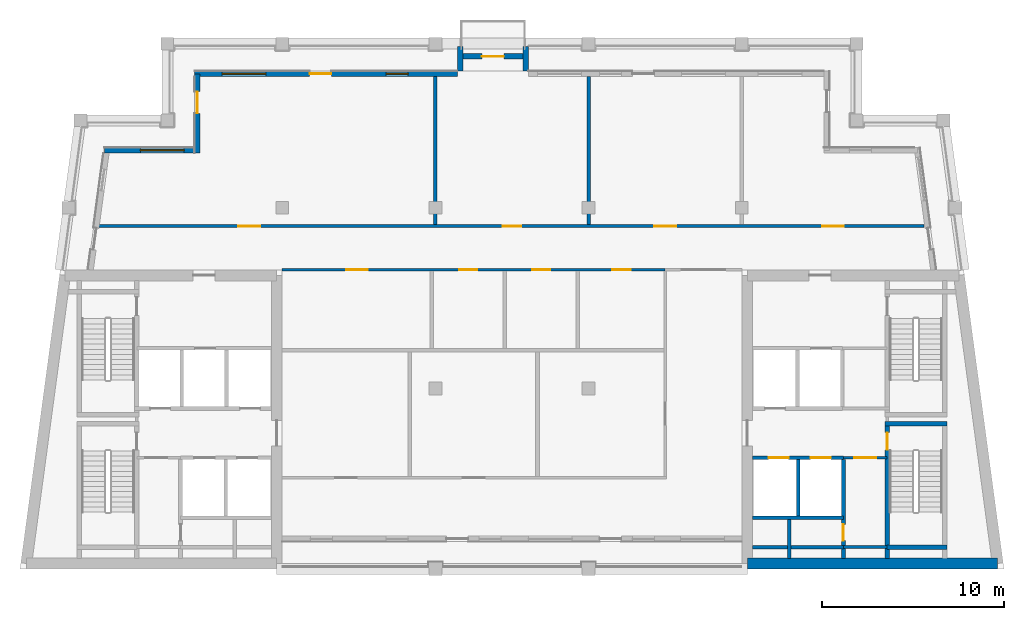
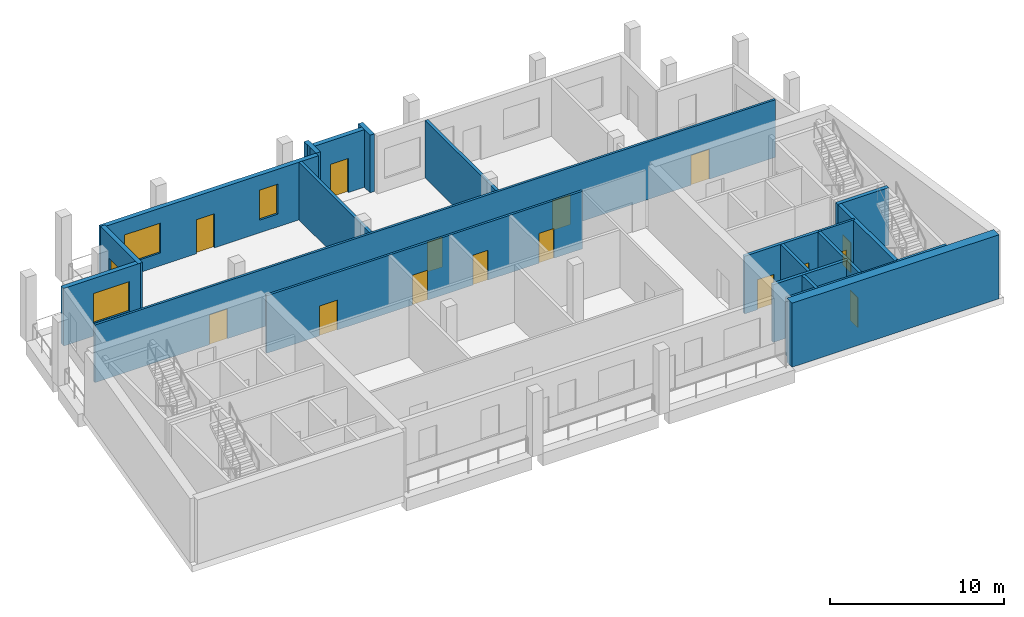
# One storey, part 3 of 8: 22 walls, 16 doors, 3 windows, 19 openings.
"""IFC4 building model written with IfcOpenShell, lengths in metres."""

import ifcopenshell
import ifcopenshell.guid

model = None  # the IFC model being written
_history = None  # IfcOwnerHistory: only IFC2X3 demands one
_inside = {}  # id of a spatial element -> (the spatial element, [elements in it])
_under = {}  # id of a project, library or spatial element -> (it, [spatial elements below it])
_declared = {}  # id of a project -> (the project, [libraries it declares])
_typed = {}  # id of a type object -> (the type object, [elements of that type])
_made_of = {}  # id of a material, layer set ... -> (it, [elements and type objects made of it])


def new_model(schema):
    """Start an empty IFC model of exactly this schema.

    Asked for "IFC4X3", IfcOpenShell would pick the latest addendum, in which some entities
    have other attributes; the version numbers below select the first issue.
    IFC2X3 requires an IfcOwnerHistory on every rooted entity: one is made here for all.
    """
    global model, _history
    if schema == "IFC4X3":
        model = ifcopenshell.file(schema_version=(4, 3, 0, 0))
    else:
        model = ifcopenshell.file(schema=schema)
    _inside.clear()
    _under.clear()
    _declared.clear()
    _typed.clear()
    _made_of.clear()
    _history = None
    if model.schema == "IFC2X3":
        org = make("IfcOrganization", Name="unknown")
        user = make(
            "IfcPersonAndOrganization",
            ThePerson=make("IfcPerson", FamilyName="unknown"),
            TheOrganization=org,
        )
        app = make(
            "IfcApplication",
            ApplicationDeveloper=org,
            Version="unknown",
            ApplicationFullName="unknown",
            ApplicationIdentifier="unknown",
        )
        _history = make(
            "IfcOwnerHistory",
            OwningUser=user,
            OwningApplication=app,
            ChangeAction="ADDED",
            CreationDate=0,
        )
    return model


def make(cls, **values):
    """One entity of the class cls with the attributes given. An attribute that is None is left unset."""
    return model.create_entity(
        cls, **{name: value for name, value in values.items() if value is not None}
    )


def rooted(cls, **values):
    """An entity with a GlobalId (a new one), such as an element, a storey or a relation."""
    return make(cls, GlobalId=ifcopenshell.guid.new(), OwnerHistory=_history, **values)


def si_unit(unit_type, name, prefix=None):
    """IfcSIUnit, for example si_unit("LENGTHUNIT", "METRE", prefix="MILLI")."""
    return make("IfcSIUnit", UnitType=unit_type, Prefix=prefix, Name=name)


def assignment(units):
    """IfcUnitAssignment: the units of a project."""
    return None if units is None else make("IfcUnitAssignment", Units=units)


def point(xyz):
    """IfcCartesianPoint."""
    return None if xyz is None else make("IfcCartesianPoint", Coordinates=xyz)


def direction(xyz):
    """IfcDirection."""
    return None if xyz is None else make("IfcDirection", DirectionRatios=xyz)


def frame(location, z_axis=None, x_axis=None):
    """IfcAxis2Placement3D, a coordinate frame: its origin and axes. An axis left out is left unset."""
    return make(
        "IfcAxis2Placement3D",
        Location=point(location),
        Axis=direction(z_axis),
        RefDirection=direction(x_axis),
    )


def frame_2d(location, x_axis=None):
    """IfcAxis2Placement2D, a coordinate frame in the plane: its origin and x axis."""
    return make(
        "IfcAxis2Placement2D", Location=point(location), RefDirection=direction(x_axis)
    )


def origin():
    """The frame at (0, 0, 0) with its axes left unset."""
    return frame((0.0, 0.0, 0.0))


def place(relative_to, where):
    """IfcLocalPlacement: puts the frame where relative to a parent placement (None: the world)."""
    return make(
        "IfcLocalPlacement", PlacementRelTo=relative_to, RelativePlacement=where
    )


def context(
    kind, dimensions, precision=None, world=None, true_north=None, identifier=None
):
    """IfcGeometricRepresentationContext, for example the 3D "Model" context."""
    return make(
        "IfcGeometricRepresentationContext",
        ContextIdentifier=identifier,
        ContextType=kind,
        CoordinateSpaceDimension=dimensions,
        Precision=precision,
        WorldCoordinateSystem=world,
        TrueNorth=true_north,
    )


def subcontext(parent, identifier, kind, view, scale=None):
    """IfcGeometricRepresentationSubContext, for example "Body" below "Model"."""
    return make(
        "IfcGeometricRepresentationSubContext",
        ContextIdentifier=identifier,
        ContextType=kind,
        ParentContext=parent,
        TargetScale=scale,
        TargetView=view,
    )


def project(units=None, contexts=None):
    """IfcProject with its units and contexts."""
    return rooted(
        "IfcProject",
        Name="project",
        RepresentationContexts=contexts,
        UnitsInContext=assignment(units),
    )


def spatial(cls, under=None, at=None, **own):
    """A site, building, storey or space (cls), placed at a placement, below another one or the project."""
    s = rooted(cls, ObjectPlacement=at, **own)
    if under is not None:
        _under.setdefault(under.id(), (under, []))[1].append(s)
    return s


def profile(cls, at=None, kind="AREA", **sizes):
    """A parametric profile (cls). Its sizes go by their IFC names, for example OverallWidth=200.0."""
    return make(cls, ProfileType=kind, Position=at, **sizes)


def rectangle(**sizes):
    """IfcRectangleProfileDef."""
    return profile("IfcRectangleProfileDef", **sizes)


def extrude(swept, where, along, depth):
    """IfcExtrudedAreaSolid: the profile swept, set in the frame where, extruded along a direction by depth."""
    return make(
        "IfcExtrudedAreaSolid",
        SweptArea=swept,
        Position=where,
        ExtrudedDirection=direction(along),
        Depth=depth,
    )


def shape(context_of_items, identifier, shape_type, items):
    """IfcShapeRepresentation: the items that make up one representation, for example the "Body"."""
    return make(
        "IfcShapeRepresentation",
        ContextOfItems=context_of_items,
        RepresentationIdentifier=identifier,
        RepresentationType=shape_type,
        Items=items,
    )


def material(Name=None, Category=None):
    """IfcMaterial."""
    return make("IfcMaterial", Name=Name, Category=Category)


def layer(
    of_material, thickness, ventilated=None, Name=None, Category=None, Priority=None
):
    """IfcMaterialLayer: one layer of a wall or slab, of a material (None: an air gap)."""
    return make(
        "IfcMaterialLayer",
        Material=of_material,
        LayerThickness=thickness,
        IsVentilated=ventilated,
        Name=Name,
        Category=Category,
        Priority=Priority,
    )


def layer_set(layers, Name=None):
    """IfcMaterialLayerSet."""
    return make("IfcMaterialLayerSet", MaterialLayers=layers, LayerSetName=Name)


def made_of(thing, what):
    """Note that an element or type object is made of a material, layer set ...; save() writes the relation."""
    if what is not None:
        _made_of.setdefault(what.id(), (what, []))[1].append(thing)
    return thing


def type_object(cls, material=None, **own):
    """A type object (cls), such as IfcWallType, which elements share."""
    return made_of(rooted(cls, **own), material)


def element(
    cls,
    number,
    at=None,
    inside=None,
    cuts=None,
    type_object=None,
    material=None,
    context=None,
    identifier="Body",
    shape_type=None,
    held_by="IfcProductDefinitionShape",
    body=None,
    shapes=None,
    **own,
):
    """One element of the class cls, such as IfcWall. Its Tag is "e" and its number.

    at: its placement. inside: the storey or other place that contains it. cuts: it is an
    opening in that element (IfcRelVoidsElement). A single representation is given by context,
    identifier, shape_type and body (its items); several are given by shapes. held_by: the class
    of the entity that holds the representations. save() writes the other relations.
    """
    e = rooted(cls, Tag="e%d" % number, ObjectPlacement=at, **own)
    if body is not None:
        shapes = [shape(context, identifier, shape_type, body)]
    if shapes is not None:
        e.Representation = make(held_by, Representations=shapes)
    if inside is not None:
        _inside.setdefault(inside.id(), (inside, []))[1].append(e)
    if cuts is not None:
        rooted(
            "IfcRelVoidsElement", RelatingBuildingElement=cuts, RelatedOpeningElement=e
        )
    if type_object is not None:
        _typed.setdefault(type_object.id(), (type_object, []))[1].append(e)
    return made_of(e, material)


def fill(opening, filler):
    """IfcRelFillsElement: the door or window that sits in an opening."""
    return rooted(
        "IfcRelFillsElement",
        RelatingOpeningElement=opening,
        RelatedBuildingElement=filler,
    )


def aggregate(whole, parts):
    """IfcRelAggregates: a whole, such as a stair, and the parts it consists of."""
    return rooted("IfcRelAggregates", RelatingObject=whole, RelatedObjects=parts)


def save(model, path):
    """Write the relations noted so far, then the file.

    IfcRelAggregates (storeys below a building ...), IfcRelContainedInSpatialStructure (elements
    in a storey), IfcRelDefinesByType, IfcRelAssociatesMaterial and IfcRelDeclares: one each for
    every whole, place, type object, material and project.
    """
    for whole, parts in _under.values():
        aggregate(whole, parts)
    for where, things in _inside.values():
        rooted(
            "IfcRelContainedInSpatialStructure",
            RelatedElements=things,
            RelatingStructure=where,
        )
    for kind, things in _typed.values():
        rooted("IfcRelDefinesByType", RelatedObjects=things, RelatingType=kind)
    for what, things in _made_of.values():
        rooted("IfcRelAssociatesMaterial", RelatedObjects=things, RelatingMaterial=what)
    for by, libraries in _declared.values():
        rooted("IfcRelDeclares", RelatingContext=by, RelatedDefinitions=libraries)
    model.write(path)


model = new_model("IFC4")

# Units and contexts
model_context = context("Model", 3, precision=1e-05, world=origin(), true_north=direction((0.0, 1.0)))
body_context = subcontext(model_context, "Body", "Model", "MODEL_VIEW")
ifc_project = project(units=[si_unit("LENGTHUNIT", "METRE"), si_unit("AREAUNIT", "SQUARE_METRE"), si_unit("VOLUMEUNIT", "CUBIC_METRE"), si_unit("PLANEANGLEUNIT", "RADIAN"), si_unit("MASSUNIT", "GRAM", prefix="KILO")], contexts=[model_context])

# Site, building, storey
site_placement = place(None, origin())
site = spatial("IfcSite", under=ifc_project, at=site_placement, CompositionType="ELEMENT")
building_placement = place(site_placement, origin())
building = spatial("IfcBuilding", under=site, at=building_placement, Name="Candeia Pilgrim Tower and Theatre", CompositionType="ELEMENT")
storey_placement = place(building_placement, frame((0.0, 0.0, 315.39990234375)))
storey = spatial("IfcBuildingStorey", under=building, at=storey_placement, Name="L76", CompositionType="ELEMENT", Elevation=315.39990234375)

# Wall
ifc_material_1 = material(Name="Concrete C40/50", Category="concrete")
ifc_layer_1 = layer(ifc_material_1, 0.60009765625)
ifc_layer_set_1 = layer_set([ifc_layer_1], Name="Core wall 600 C40/50")
wall_type_1 = type_object("IfcWallType", Name="Core wall 600 C40/50", PredefinedType="SHEAR", material=ifc_layer_set_1)
wall_1_placement = place(storey_placement, frame((140.033935546875, 116.300048828125, 0.0), z_axis=(0.0, 0.0, 1.0), x_axis=(-1.0, 0.0, 0.0)))
element("IfcWall", 1, at=wall_1_placement, inside=storey, type_object=wall_type_1, Name="Core wall E3", PredefinedType="SHEAR", context=body_context, shape_type="SweptSolid", body=[
    extrude(rectangle(XDim=13.73388671875, YDim=0.60009765625, at=frame_2d((6.866943359375, 0.0))), origin(), (0.0, 0.0, 1.0), 4.5),
])

# Wall, openings, door, windows
ifc_material_2 = material(Name="Ceramic block masonry", Category="masonry")
ifc_layer_2 = layer(ifc_material_2, 0.300048828125)
ifc_layer_set_2 = layer_set([ifc_layer_2], Name="EW1 glazing-line wall 300")
wall_type_2 = type_object("IfcWallType", Name="EW1 glazing-line wall 300", PredefinedType="SOLIDWALL", material=ifc_layer_set_2)
wall_2_placement = place(storey_placement, frame((110.39990234375, 143.14990234375, 0.0), z_axis=(0.0, 0.0, 1.0), x_axis=(-1.0, 0.0, 0.0)))
wall_2 = element("IfcWall", 2, at=wall_2_placement, inside=storey, type_object=wall_type_2, Name="External wall L76-5.1", PredefinedType="SOLIDWALL", context=body_context, shape_type="SweptSolid", body=[
    extrude(rectangle(XDim=14.39990234375, YDim=0.300048828125, at=frame_2d((7.199951171875, 0.0))), origin(), (0.0, 0.0, 1.0), 4.050048828125),
])
opening_1_placement = place(wall_2_placement, frame((2.699951171875, 0.0, 0.89990234375)))
opening_1 = element("IfcOpeningElement", 3, at=opening_1_placement, cuts=wall_2, Name="Opening W-B", PredefinedType="OPENING", context=body_context, shape_type="SweptSolid", body=[
    extrude(rectangle(XDim=1.199951171875, YDim=2.10009765625, at=frame_2d((0.60009765625, 1.050048828125))), frame((0.0, 0.16015625, 0.0), z_axis=(0.0, -1.0, 0.0), x_axis=(1.0, 0.0, 0.0)), (0.0, 0.0, 1.0), 0.320068359375),
])
opening_2_placement = place(wall_2_placement, frame((6.89990234375, 0.0, 0.0)))
opening_2 = element("IfcOpeningElement", 4, at=opening_2_placement, cuts=wall_2, Name="Opening L76-ED699", PredefinedType="OPENING", context=body_context, shape_type="SweptSolid", body=[
    extrude(rectangle(XDim=1.199951171875, YDim=2.39990234375, at=frame_2d((0.60009765625, 1.199951171875))), frame((0.0, 0.16015625, 0.0), z_axis=(0.0, -1.0, 0.0), x_axis=(1.0, 0.0, 0.0)), (0.0, 0.0, 1.0), 0.320068359375),
])
opening_3_placement = place(wall_2_placement, frame((10.5, 0.0, 0.89990234375)))
opening_3 = element("IfcOpeningElement", 5, at=opening_3_placement, cuts=wall_2, Name="Opening W-A", PredefinedType="OPENING", context=body_context, shape_type="SweptSolid", body=[
    extrude(rectangle(XDim=2.39990234375, YDim=2.10009765625, at=frame_2d((1.199951171875, 1.050048828125))), frame((0.0, 0.16015625, 0.0), z_axis=(0.0, -1.0, 0.0), x_axis=(1.0, 0.0, 0.0)), (0.0, 0.0, 1.0), 0.320068359375),
])
ifc_material_3 = material(Name="Aluminium framed glazed door", Category="aluminium")
door_type_1 = type_object("IfcDoorType", Name="Loggia door 1200x2400", OperationType="DOUBLE_DOOR_SINGLE_SWING", PredefinedType="DOOR", material=ifc_material_3)
door_1_placement = place(opening_2_placement, origin())
door_1 = element("IfcDoor", 6, at=door_1_placement, inside=storey, type_object=door_type_1, Name="Loggia door L76-ED699", OperationType="DOUBLE_DOOR_SINGLE_SWING", OverallHeight=2.39990234375, OverallWidth=1.199951171875, PredefinedType="DOOR", context=body_context, shape_type="SweptSolid", body=[
    extrude(rectangle(XDim=1.199951171875, YDim=2.39990234375, at=frame_2d((0.60009765625, 1.199951171875))), frame((0.0, 0.02490234375, 0.0), z_axis=(0.0, -1.0, 0.0), x_axis=(1.0, 0.0, 0.0)), (0.0, 0.0, 1.0), 0.050048828125),
])
fill(opening_2, door_1)
ifc_material_4 = material(Name="Aluminium framed double glazing", Category="aluminium")
window_type_1 = type_object("IfcWindowType", Name="W-A window 2400x2100", PartitioningType="DOUBLE_PANEL_VERTICAL", PredefinedType="WINDOW", material=ifc_material_4)
window_1_placement = place(opening_3_placement, origin())
window_1 = element("IfcWindow", 7, at=window_1_placement, inside=storey, type_object=window_type_1, Name="Window W-A L76", OverallHeight=2.10009765625, OverallWidth=2.39990234375, PartitioningType="SINGLE_PANEL", PredefinedType="WINDOW", context=body_context, shape_type="SweptSolid", body=[
    extrude(rectangle(XDim=2.39990234375, YDim=2.10009765625, at=frame_2d((1.199951171875, 1.050048828125))), frame((0.0, 0.030029296875, 0.0), z_axis=(0.0, -1.0, 0.0), x_axis=(1.0, 0.0, 0.0)), (0.0, 0.0, 1.0), 0.06005859375),
])
fill(opening_3, window_1)
window_type_2 = type_object("IfcWindowType", Name="W-B window 1200x2100", PartitioningType="SINGLE_PANEL", PredefinedType="WINDOW", material=ifc_material_4)
window_2_placement = place(opening_1_placement, origin())
window_2 = element("IfcWindow", 8, at=window_2_placement, inside=storey, type_object=window_type_2, Name="Window W-B L76", OverallHeight=2.10009765625, OverallWidth=1.199951171875, PartitioningType="SINGLE_PANEL", PredefinedType="WINDOW", context=body_context, shape_type="SweptSolid", body=[
    extrude(rectangle(XDim=1.199951171875, YDim=2.10009765625, at=frame_2d((0.60009765625, 1.050048828125))), frame((0.0, 0.030029296875, 0.0), z_axis=(0.0, -1.0, 0.0), x_axis=(1.0, 0.0, 0.0)), (0.0, 0.0, 1.0), 0.06005859375),
])
fill(opening_1, window_2)

# Wall, opening, door
wall_3_placement = place(storey_placement, frame((96.14990234375, 143.14990234375, 0.0), z_axis=(0.0, 0.0, 1.0), x_axis=(0.0, -1.0, 0.0)))
wall_3 = element("IfcWall", 9, at=wall_3_placement, inside=storey, type_object=wall_type_2, Name="External wall L76-6.0", PredefinedType="SOLIDWALL", context=body_context, shape_type="SweptSolid", body=[
    extrude(rectangle(XDim=4.349853515625, YDim=0.300048828125, at=frame_2d((2.1748046875, 0.0))), origin(), (0.0, 0.0, 1.0), 4.050048828125),
])
opening_4_placement = place(wall_3_placement, frame((0.97509765625, 0.0, 0.0)))
opening_4 = element("IfcOpeningElement", 10, at=opening_4_placement, cuts=wall_3, Name="Opening L76-ED701", PredefinedType="OPENING", context=body_context, shape_type="SweptSolid", body=[
    extrude(rectangle(XDim=1.199951171875, YDim=2.39990234375, at=frame_2d((0.60009765625, 1.199951171875))), frame((0.0, 0.16015625, 0.0), z_axis=(0.0, -1.0, 0.0), x_axis=(1.0, 0.0, 0.0)), (0.0, 0.0, 1.0), 0.320068359375),
])
door_2_placement = place(opening_4_placement, origin())
door_2 = element("IfcDoor", 11, at=door_2_placement, inside=storey, type_object=door_type_1, Name="Loggia door L76-ED701", OperationType="DOUBLE_DOOR_SINGLE_SWING", OverallHeight=2.39990234375, OverallWidth=1.199951171875, PredefinedType="DOOR", context=body_context, shape_type="SweptSolid", body=[
    extrude(rectangle(XDim=1.199951171875, YDim=2.39990234375, at=frame_2d((0.60009765625, 1.199951171875))), frame((0.0, 0.02490234375, 0.0), z_axis=(0.0, -1.0, 0.0), x_axis=(1.0, 0.0, 0.0)), (0.0, 0.0, 1.0), 0.050048828125),
])
fill(opening_4, door_2)

# Wall, opening, window
wall_4_placement = place(storey_placement, frame((96.14990234375, 138.949951171875, 0.0), z_axis=(0.0, 0.0, 1.0), x_axis=(-1.0, 0.0, 0.0)))
wall_4 = element("IfcWall", 12, at=wall_4_placement, inside=storey, type_object=wall_type_2, Name="External wall L76-7.0", PredefinedType="SOLIDWALL", context=body_context, shape_type="SweptSolid", body=[
    extrude(rectangle(XDim=5.103759765625, YDim=0.300048828125, at=frame_2d((2.5517578125, 0.0))), origin(), (0.0, 0.0, 1.0), 4.050048828125),
])
opening_5_placement = place(wall_4_placement, frame((0.72509765625, 0.0, 0.89990234375)))
opening_5 = element("IfcOpeningElement", 13, at=opening_5_placement, cuts=wall_4, Name="Opening W-A", PredefinedType="OPENING", context=body_context, shape_type="SweptSolid", body=[
    extrude(rectangle(XDim=2.39990234375, YDim=2.10009765625, at=frame_2d((1.199951171875, 1.050048828125))), frame((0.0, 0.16015625, 0.0), z_axis=(0.0, -1.0, 0.0), x_axis=(1.0, 0.0, 0.0)), (0.0, 0.0, 1.0), 0.320068359375),
])
window_3_placement = place(opening_5_placement, origin())
window_3 = element("IfcWindow", 14, at=window_3_placement, inside=storey, type_object=window_type_1, Name="Window W-A L76", OverallHeight=2.10009765625, OverallWidth=2.39990234375, PartitioningType="SINGLE_PANEL", PredefinedType="WINDOW", context=body_context, shape_type="SweptSolid", body=[
    extrude(rectangle(XDim=2.39990234375, YDim=2.10009765625, at=frame_2d((1.199951171875, 1.050048828125))), frame((0.0, 0.030029296875, 0.0), z_axis=(0.0, -1.0, 0.0), x_axis=(1.0, 0.0, 0.0)), (0.0, 0.0, 1.0), 0.06005859375),
])
fill(opening_5, window_3)

# Walls
ifc_layer_3 = layer(ifc_material_2, 0.300048828125)
ifc_layer_set_3 = layer_set([ifc_layer_3], Name="EW2 entrance infill wall 300")
wall_type_3 = type_object("IfcWallType", Name="EW2 entrance infill wall 300", PredefinedType="SOLIDWALL", material=ifc_layer_set_3)
for number, where, z_axis, x_axis, name in (
    (15, (114.14990234375, 143.300048828125, 0.0), (0.0, 0.0, 1.0), (0.0, 1.0, 0.0), "Alcove wall L76"),
    (16, (110.550048828125, 143.300048828125, 0.0), (0.0, 0.0, 1.0), (0.0, 1.0, 0.0), "Alcove wall L76"),
):
    element("IfcWall", number, at=place(storey_placement, frame(where, z_axis=z_axis, x_axis=x_axis)), inside=storey, type_object=wall_type_3, Name=name, PredefinedType="SOLIDWALL", context=body_context, shape_type="SweptSolid", body=[
        extrude(rectangle(XDim=1.349853515625, YDim=0.300048828125, at=frame_2d((0.6748046875, 0.0))), origin(), (0.0, 0.0, 1.0), 4.050048828125),
    ])

# Wall, opening, door
wall_5_placement = place(storey_placement, frame((114.300048828125, 144.10009765625, 0.0), z_axis=(0.0, 0.0, 1.0), x_axis=(-1.0, 0.0, 0.0)))
wall_5 = element("IfcWall", 17, at=wall_5_placement, inside=storey, type_object=wall_type_3, Name="Alcove wall L76", PredefinedType="SOLIDWALL", context=body_context, shape_type="SweptSolid", body=[
    extrude(rectangle(XDim=3.900146484375, YDim=0.300048828125, at=frame_2d((1.9501953125, 0.0))), origin(), (0.0, 0.0, 1.0), 4.050048828125),
])
opening_6_placement = place(wall_5_placement, frame((1.35009765625, 0.0, 0.0)))
opening_6 = element("IfcOpeningElement", 18, at=opening_6_placement, cuts=wall_5, Name="Opening L76-ED700", PredefinedType="OPENING", context=body_context, shape_type="SweptSolid", body=[
    extrude(rectangle(XDim=1.199951171875, YDim=2.39990234375, at=frame_2d((0.60009765625, 1.199951171875))), frame((0.0, 0.16015625, 0.0), z_axis=(0.0, -1.0, 0.0), x_axis=(1.0, 0.0, 0.0)), (0.0, 0.0, 1.0), 0.320068359375),
])
door_3_placement = place(opening_6_placement, origin())
door_3 = element("IfcDoor", 19, at=door_3_placement, inside=storey, type_object=door_type_1, Name="Balcony door L76-ED700", OperationType="DOUBLE_DOOR_SINGLE_SWING", OverallHeight=2.39990234375, OverallWidth=1.199951171875, PredefinedType="DOOR", context=body_context, shape_type="SweptSolid", body=[
    extrude(rectangle(XDim=1.199951171875, YDim=2.39990234375, at=frame_2d((0.60009765625, 1.199951171875))), frame((0.0, 0.02490234375, 0.0), z_axis=(0.0, -1.0, 0.0), x_axis=(1.0, 0.0, 0.0)), (0.0, 0.0, 1.0), 0.050048828125),
])
fill(opening_6, door_3)

# Wall
ifc_material_5 = material(Name="Gypsum board partition on steel studs", Category="steel")
ifc_layer_4 = layer(ifc_material_5, 0.14990234375)
ifc_layer_set_4 = layer_set([ifc_layer_4], Name="PW-150 lobby wall")
wall_type_4 = type_object("IfcWallType", Name="PW-150 lobby wall", PredefinedType="PARTITIONING", material=ifc_layer_set_4)
wall_6_placement = place(storey_placement, frame((131.572998046875, 117.199951171875, 0.0), z_axis=(0.0, 0.0, 1.0), x_axis=(1.0, 0.0, 0.0)))
element("IfcWall", 20, at=wall_6_placement, inside=storey, type_object=wall_type_4, Name="Lobby wall L76-004", PredefinedType="PARTITIONING", context=body_context, shape_type="SweptSolid", body=[
    extrude(rectangle(XDim=2.39990234375, YDim=0.14990234375, at=frame_2d((1.199951171875, 0.0))), origin(), (0.0, 0.0, 1.0), 4.050048828125),
])

# Wall, opening, door
wall_7_placement = place(storey_placement, frame((131.572998046875, 122.10009765625, 0.0), z_axis=(0.0, 0.0, 1.0), x_axis=(1.0, 0.0, 0.0)))
wall_7 = element("IfcWall", 21, at=wall_7_placement, inside=storey, type_object=wall_type_4, Name="Lobby wall L76-013", PredefinedType="PARTITIONING", context=body_context, shape_type="SweptSolid", body=[
    extrude(rectangle(XDim=2.39990234375, YDim=0.14990234375, at=frame_2d((1.199951171875, 0.0))), origin(), (0.0, 0.0, 1.0), 4.050048828125),
])
opening_7_placement = place(wall_7_placement, frame((0.60009765625, 0.0, 0.0)))
opening_7 = element("IfcOpeningElement", 22, at=opening_7_placement, cuts=wall_7, Name="Opening L76-D017", PredefinedType="OPENING", context=body_context, shape_type="SweptSolid", body=[
    extrude(rectangle(XDim=1.199951171875, YDim=2.10009765625, at=frame_2d((0.60009765625, 1.050048828125))), frame((0.0, 0.0849609375, 0.0), z_axis=(0.0, -1.0, 0.0), x_axis=(1.0, 0.0, 0.0)), (0.0, 0.0, 1.0), 0.169921875),
])
ifc_material_6 = material(Name="Steel fire door set", Category="steel")
door_type_2 = type_object("IfcDoorType", Name="D-1200-FD60", OperationType="NOTDEFINED", PredefinedType="DOOR", material=ifc_material_6)
door_4_placement = place(opening_7_placement, origin())
door_4 = element("IfcDoor", 23, at=door_4_placement, inside=storey, type_object=door_type_2, Name="Door L76-D017", OperationType="SINGLE_SWING_RIGHT", OverallHeight=2.10009765625, OverallWidth=1.199951171875, PredefinedType="DOOR", context=body_context, shape_type="SweptSolid", body=[
    extrude(rectangle(XDim=1.199951171875, YDim=2.10009765625, at=frame_2d((0.60009765625, 1.050048828125))), frame((0.0, 0.02490234375, 0.0), z_axis=(0.0, -1.0, 0.0), x_axis=(1.0, 0.0, 0.0)), (0.0, 0.0, 1.0), 0.050048828125),
])
fill(opening_7, door_4)

# Wall, openings, doors
ifc_layer_5 = layer(ifc_material_5, 0.14990234375)
ifc_layer_set_5 = layer_set([ifc_layer_5], Name="PW-150 unit wall")
wall_type_5 = type_object("IfcWallType", Name="PW-150 unit wall", PredefinedType="PARTITIONING", material=ifc_layer_set_5)
wall_8_placement = place(storey_placement, frame((100.800048828125, 132.39990234375, 0.0), z_axis=(0.0, 0.0, 1.0), x_axis=(1.0, 0.0, 0.0)))
wall_8 = element("IfcWall", 24, at=wall_8_placement, inside=storey, type_object=wall_type_5, Name="Unit wall L76-028", PredefinedType="PARTITIONING", context=body_context, shape_type="SweptSolid", body=[
    extrude(rectangle(XDim=21.0, YDim=0.14990234375, at=frame_2d((10.5, 0.0))), origin(), (0.0, 0.0, 1.0), 4.050048828125),
])
opening_8_placement = place(wall_8_placement, frame((3.5, 0.0, 0.0)))
opening_8 = element("IfcOpeningElement", 25, at=opening_8_placement, cuts=wall_8, Name="Opening L76-D005", PredefinedType="OPENING", context=body_context, shape_type="SweptSolid", body=[
    extrude(rectangle(XDim=1.199951171875, YDim=2.10009765625, at=frame_2d((0.60009765625, 1.050048828125))), frame((0.0, 0.0849609375, 0.0), z_axis=(0.0, -1.0, 0.0), x_axis=(1.0, 0.0, 0.0)), (0.0, 0.0, 1.0), 0.169921875),
])
opening_9_placement = place(wall_8_placement, frame((9.699951171875, 0.0, 0.0)))
opening_9 = element("IfcOpeningElement", 26, at=opening_9_placement, cuts=wall_8, Name="Opening L76-D006", PredefinedType="OPENING", context=body_context, shape_type="SweptSolid", body=[
    extrude(rectangle(XDim=1.0, YDim=2.10009765625, at=frame_2d((0.5, 1.050048828125))), frame((0.0, 0.0849609375, 0.0), z_axis=(0.0, -1.0, 0.0), x_axis=(1.0, 0.0, 0.0)), (0.0, 0.0, 1.0), 0.169921875),
])
opening_10_placement = place(wall_8_placement, frame((13.699951171875, 0.0, 0.0)))
opening_10 = element("IfcOpeningElement", 27, at=opening_10_placement, cuts=wall_8, Name="Opening L76-D007", PredefinedType="OPENING", context=body_context, shape_type="SweptSolid", body=[
    extrude(rectangle(XDim=1.0, YDim=2.10009765625, at=frame_2d((0.5, 1.050048828125))), frame((0.0, 0.0849609375, 0.0), z_axis=(0.0, -1.0, 0.0), x_axis=(1.0, 0.0, 0.0)), (0.0, 0.0, 1.0), 0.169921875),
])
opening_11_placement = place(wall_8_placement, frame((18.10009765625, 0.0, 0.0)))
opening_11 = element("IfcOpeningElement", 28, at=opening_11_placement, cuts=wall_8, Name="Opening L76-D008", PredefinedType="OPENING", context=body_context, shape_type="SweptSolid", body=[
    extrude(rectangle(XDim=1.0, YDim=2.10009765625, at=frame_2d((0.5, 1.050048828125))), frame((0.0, 0.0849609375, 0.0), z_axis=(0.0, -1.0, 0.0), x_axis=(1.0, 0.0, 0.0)), (0.0, 0.0, 1.0), 0.169921875),
])
door_type_3 = type_object("IfcDoorType", Name="D-1000-FD30S", OperationType="NOTDEFINED", PredefinedType="DOOR", material=ifc_material_6)
door_5_placement = place(opening_9_placement, origin())
door_5 = element("IfcDoor", 29, at=door_5_placement, inside=storey, type_object=door_type_3, Name="Door L76-D006", OperationType="SINGLE_SWING_RIGHT", OverallHeight=2.10009765625, OverallWidth=1.0, PredefinedType="DOOR", context=body_context, shape_type="SweptSolid", body=[
    extrude(rectangle(XDim=1.0, YDim=2.10009765625, at=frame_2d((0.5, 1.050048828125))), frame((0.0, 0.02490234375, 0.0), z_axis=(0.0, -1.0, 0.0), x_axis=(1.0, 0.0, 0.0)), (0.0, 0.0, 1.0), 0.050048828125),
])
fill(opening_9, door_5)
door_6_placement = place(opening_10_placement, origin())
door_6 = element("IfcDoor", 30, at=door_6_placement, inside=storey, type_object=door_type_3, Name="Door L76-D007", OperationType="SINGLE_SWING_LEFT", OverallHeight=2.10009765625, OverallWidth=1.0, PredefinedType="DOOR", context=body_context, shape_type="SweptSolid", body=[
    extrude(rectangle(XDim=1.0, YDim=2.10009765625, at=frame_2d((0.5, 1.050048828125))), frame((0.0, 0.02490234375, 0.0), z_axis=(0.0, -1.0, 0.0), x_axis=(1.0, 0.0, 0.0)), (0.0, 0.0, 1.0), 0.050048828125),
])
fill(opening_10, door_6)
door_7_placement = place(opening_11_placement, origin())
door_7 = element("IfcDoor", 31, at=door_7_placement, inside=storey, type_object=door_type_3, Name="Door L76-D008", OperationType="SINGLE_SWING_RIGHT", OverallHeight=2.10009765625, OverallWidth=1.0, PredefinedType="DOOR", context=body_context, shape_type="SweptSolid", body=[
    extrude(rectangle(XDim=1.0, YDim=2.10009765625, at=frame_2d((0.5, 1.050048828125))), frame((0.0, 0.02490234375, 0.0), z_axis=(0.0, -1.0, 0.0), x_axis=(1.0, 0.0, 0.0)), (0.0, 0.0, 1.0), 0.050048828125),
])
fill(opening_11, door_7)
door_type_4 = type_object("IfcDoorType", Name="D-1200-FD30S", OperationType="NOTDEFINED", PredefinedType="DOOR", material=ifc_material_6)
door_8_placement = place(opening_8_placement, origin())
door_8 = element("IfcDoor", 32, at=door_8_placement, inside=storey, type_object=door_type_4, Name="Door L76-D005", OperationType="SINGLE_SWING_LEFT", OverallHeight=2.10009765625, OverallWidth=1.199951171875, PredefinedType="DOOR", context=body_context, shape_type="SweptSolid", body=[
    extrude(rectangle(XDim=1.199951171875, YDim=2.10009765625, at=frame_2d((0.60009765625, 1.050048828125))), frame((0.0, 0.02490234375, 0.0), z_axis=(0.0, -1.0, 0.0), x_axis=(1.0, 0.0, 0.0)), (0.0, 0.0, 1.0), 0.050048828125),
])
fill(opening_8, door_8)

wall_9_placement = place(storey_placement, frame((90.760009765625, 134.800048828125, 0.0), z_axis=(0.0, 0.0, 1.0), x_axis=(1.0, 0.0, 0.0)))
wall_9 = element("IfcWall", 33, at=wall_9_placement, inside=storey, type_object=wall_type_5, Name="Unit wall L76-029", PredefinedType="PARTITIONING", context=body_context, shape_type="SweptSolid", body=[
    extrude(rectangle(XDim=45.239990234375, YDim=0.14990234375, at=frame_2d((22.6201171875, 0.0))), origin(), (0.0, 0.0, 1.0), 4.050048828125),
])
opening_12_placement = place(wall_9_placement, frame((7.632080078125, 0.0, 0.0)))
opening_12 = element("IfcOpeningElement", 34, at=opening_12_placement, cuts=wall_9, Name="Opening L76-D009", PredefinedType="OPENING", context=body_context, shape_type="SweptSolid", body=[
    extrude(rectangle(XDim=1.199951171875, YDim=2.10009765625, at=frame_2d((0.60009765625, 1.050048828125))), frame((0.0, 0.0849609375, 0.0), z_axis=(0.0, -1.0, 0.0), x_axis=(1.0, 0.0, 0.0)), (0.0, 0.0, 1.0), 0.169921875),
])
opening_13_placement = place(wall_9_placement, frame((22.139892578125, 0.0, 0.0)))
opening_13 = element("IfcOpeningElement", 35, at=opening_13_placement, cuts=wall_9, Name="Opening L76-D010", PredefinedType="OPENING", context=body_context, shape_type="SweptSolid", body=[
    extrude(rectangle(XDim=1.0, YDim=2.10009765625, at=frame_2d((0.5, 1.050048828125))), frame((0.0, 0.0849609375, 0.0), z_axis=(0.0, -1.0, 0.0), x_axis=(1.0, 0.0, 0.0)), (0.0, 0.0, 1.0), 0.169921875),
])
opening_14_placement = place(wall_9_placement, frame((30.43994140625, 0.0, 0.0)))
opening_14 = element("IfcOpeningElement", 36, at=opening_14_placement, cuts=wall_9, Name="Opening L76-D011", PredefinedType="OPENING", context=body_context, shape_type="SweptSolid", body=[
    extrude(rectangle(XDim=1.199951171875, YDim=2.10009765625, at=frame_2d((0.60009765625, 1.050048828125))), frame((0.0, 0.0849609375, 0.0), z_axis=(0.0, -1.0, 0.0), x_axis=(1.0, 0.0, 0.0)), (0.0, 0.0, 1.0), 0.169921875),
])
opening_15_placement = place(wall_9_placement, frame((39.639892578125, 0.0, 0.0)))
opening_15 = element("IfcOpeningElement", 37, at=opening_15_placement, cuts=wall_9, Name="Opening L76-D012", PredefinedType="OPENING", context=body_context, shape_type="SweptSolid", body=[
    extrude(rectangle(XDim=1.199951171875, YDim=2.10009765625, at=frame_2d((0.60009765625, 1.050048828125))), frame((0.0, 0.0849609375, 0.0), z_axis=(0.0, -1.0, 0.0), x_axis=(1.0, 0.0, 0.0)), (0.0, 0.0, 1.0), 0.169921875),
])
door_9_placement = place(opening_13_placement, origin())
door_9 = element("IfcDoor", 38, at=door_9_placement, inside=storey, type_object=door_type_3, Name="Door L76-D010", OperationType="SINGLE_SWING_RIGHT", OverallHeight=2.10009765625, OverallWidth=1.0, PredefinedType="DOOR", context=body_context, shape_type="SweptSolid", body=[
    extrude(rectangle(XDim=1.0, YDim=2.10009765625, at=frame_2d((0.5, 1.050048828125))), frame((0.0, 0.02490234375, 0.0), z_axis=(0.0, -1.0, 0.0), x_axis=(1.0, 0.0, 0.0)), (0.0, 0.0, 1.0), 0.050048828125),
])
fill(opening_13, door_9)
door_10_placement = place(opening_12_placement, origin())
door_10 = element("IfcDoor", 39, at=door_10_placement, inside=storey, type_object=door_type_4, Name="Door L76-D009", OperationType="SINGLE_SWING_LEFT", OverallHeight=2.10009765625, OverallWidth=1.199951171875, PredefinedType="DOOR", context=body_context, shape_type="SweptSolid", body=[
    extrude(rectangle(XDim=1.199951171875, YDim=2.10009765625, at=frame_2d((0.60009765625, 1.050048828125))), frame((0.0, 0.02490234375, 0.0), z_axis=(0.0, -1.0, 0.0), x_axis=(1.0, 0.0, 0.0)), (0.0, 0.0, 1.0), 0.050048828125),
])
fill(opening_12, door_10)
door_11_placement = place(opening_14_placement, origin())
door_11 = element("IfcDoor", 40, at=door_11_placement, inside=storey, type_object=door_type_2, Name="Door L76-D011", OperationType="SINGLE_SWING_LEFT", OverallHeight=2.10009765625, OverallWidth=1.199951171875, PredefinedType="DOOR", context=body_context, shape_type="SweptSolid", body=[
    extrude(rectangle(XDim=1.199951171875, YDim=2.10009765625, at=frame_2d((0.60009765625, 1.050048828125))), frame((0.0, 0.02490234375, 0.0), z_axis=(0.0, -1.0, 0.0), x_axis=(1.0, 0.0, 0.0)), (0.0, 0.0, 1.0), 0.050048828125),
])
fill(opening_14, door_11)
door_12_placement = place(opening_15_placement, origin())
door_12 = element("IfcDoor", 41, at=door_12_placement, inside=storey, type_object=door_type_2, Name="Door L76-D012", OperationType="SINGLE_SWING_RIGHT", OverallHeight=2.10009765625, OverallWidth=1.199951171875, PredefinedType="DOOR", context=body_context, shape_type="SweptSolid", body=[
    extrude(rectangle(XDim=1.199951171875, YDim=2.10009765625, at=frame_2d((0.60009765625, 1.050048828125))), frame((0.0, 0.02490234375, 0.0), z_axis=(0.0, -1.0, 0.0), x_axis=(1.0, 0.0, 0.0)), (0.0, 0.0, 1.0), 0.050048828125),
])
fill(opening_15, door_12)

# Walls
ifc_layer_6 = layer(ifc_material_5, 0.199951171875)
ifc_layer_set_6 = layer_set([ifc_layer_6], Name="PW-200 party wall")
wall_type_6 = type_object("IfcWallType", Name="PW-200 party wall", PredefinedType="PARTITIONING", material=ifc_layer_set_6)
for number, where, z_axis, x_axis, name in (
    (42, (109.199951171875, 134.875, 0.0), (0.0, 0.0, 1.0), (0.0, 1.0, 0.0), "Party wall L76-042"),
    (43, (117.60009765625, 134.875, 0.0), (0.0, 0.0, 1.0), (0.0, 1.0, 0.0), "Party wall L76-046"),
):
    element("IfcWall", number, at=place(storey_placement, frame(where, z_axis=z_axis, x_axis=x_axis)), inside=storey, type_object=wall_type_6, Name=name, PredefinedType="PARTITIONING", context=body_context, shape_type="SweptSolid", body=[
        extrude(rectangle(XDim=8.135009765625, YDim=0.199951171875, at=frame_2d((4.0673828125, 0.0))), origin(), (0.0, 0.0, 1.0), 4.050048828125),
    ])
ifc_layer_7 = layer(ifc_material_1, 0.199951171875)
ifc_layer_set_7 = layer_set([ifc_layer_7], Name="SW-200 shaft wall")
wall_type_7 = type_object("IfcWallType", Name="SW-200 shaft wall", PredefinedType="PARTITIONING", material=ifc_layer_set_7)
for number, where, z_axis, x_axis, name in (
    (44, (126.60009765625, 117.199951171875, 0.0), (0.0, 0.0, 1.0), (1.0, 0.0, 0.0), "Shaft wall L76-002"),
    (45, (126.60009765625, 118.800048828125, 0.0), (0.0, 0.0, 1.0), (1.0, 0.0, 0.0), "Shaft wall L76-008"),
):
    element("IfcWall", number, at=place(storey_placement, frame(where, z_axis=z_axis, x_axis=x_axis)), inside=storey, type_object=wall_type_7, Name=name, PredefinedType="PARTITIONING", context=body_context, shape_type="SweptSolid", body=[
        extrude(rectangle(XDim=4.972900390625, YDim=0.199951171875, at=frame_2d((2.486328125, 0.0))), origin(), (0.0, 0.0, 1.0), 4.050048828125),
    ])

# Wall, openings, doors
wall_10_placement = place(storey_placement, frame((126.60009765625, 122.10009765625, 0.0), z_axis=(0.0, 0.0, 1.0), x_axis=(1.0, 0.0, 0.0)))
wall_10 = element("IfcWall", 46, at=wall_10_placement, inside=storey, type_object=wall_type_7, Name="Shaft wall L76-011", PredefinedType="PARTITIONING", context=body_context, shape_type="SweptSolid", body=[
    extrude(rectangle(XDim=4.972900390625, YDim=0.199951171875, at=frame_2d((2.486328125, 0.0))), origin(), (0.0, 0.0, 1.0), 4.050048828125),
])
opening_16_placement = place(wall_10_placement, frame((3.179931640625, 0.0, 0.0)))
opening_16 = element("IfcOpeningElement", 47, at=opening_16_placement, cuts=wall_10, Name="Opening L76-LD06", PredefinedType="OPENING", context=body_context, shape_type="SweptSolid", body=[
    extrude(rectangle(XDim=1.10009765625, YDim=2.10009765625, at=frame_2d((0.550048828125, 1.050048828125))), frame((0.0, 0.10986328125, 0.0), z_axis=(0.0, -1.0, 0.0), x_axis=(1.0, 0.0, 0.0)), (0.0, 0.0, 1.0), 0.219970703125),
])
opening_17_placement = place(wall_10_placement, frame((0.864990234375, 0.0, 0.0)))
opening_17 = element("IfcOpeningElement", 48, at=opening_17_placement, cuts=wall_10, Name="Opening L76-LD07", PredefinedType="OPENING", context=body_context, shape_type="SweptSolid", body=[
    extrude(rectangle(XDim=1.10009765625, YDim=2.10009765625, at=frame_2d((0.550048828125, 1.050048828125))), frame((0.0, 0.10986328125, 0.0), z_axis=(0.0, -1.0, 0.0), x_axis=(1.0, 0.0, 0.0)), (0.0, 0.0, 1.0), 0.219970703125),
])
ifc_material_7 = material(Name="Glazed aluminium landing door", Category="aluminium")
door_type_5 = type_object("IfcDoorType", Name="LD-1100-EI120", OperationType="SLIDING_TO_LEFT", PredefinedType="DOOR", material=ifc_material_7)
door_13_placement = place(opening_16_placement, origin())
door_13 = element("IfcDoor", 49, at=door_13_placement, inside=storey, type_object=door_type_5, Name="Landing door 06 L76", OperationType="SLIDING_TO_LEFT", OverallHeight=2.10009765625, OverallWidth=1.10009765625, PredefinedType="DOOR", context=body_context, shape_type="SweptSolid", body=[
    extrude(rectangle(XDim=1.10009765625, YDim=2.10009765625, at=frame_2d((0.550048828125, 1.050048828125))), frame((0.0, 0.02490234375, 0.0), z_axis=(0.0, -1.0, 0.0), x_axis=(1.0, 0.0, 0.0)), (0.0, 0.0, 1.0), 0.050048828125),
])
fill(opening_16, door_13)
door_14_placement = place(opening_17_placement, origin())
door_14 = element("IfcDoor", 50, at=door_14_placement, inside=storey, type_object=door_type_5, Name="Landing door 07 L76", OperationType="SLIDING_TO_LEFT", OverallHeight=2.10009765625, OverallWidth=1.10009765625, PredefinedType="DOOR", context=body_context, shape_type="SweptSolid", body=[
    extrude(rectangle(XDim=1.10009765625, YDim=2.10009765625, at=frame_2d((0.550048828125, 1.050048828125))), frame((0.0, 0.02490234375, 0.0), z_axis=(0.0, -1.0, 0.0), x_axis=(1.0, 0.0, 0.0)), (0.0, 0.0, 1.0), 0.050048828125),
])
fill(opening_17, door_14)

# Walls
wall_11_placement = place(storey_placement, frame((128.60009765625, 116.570068359375, 0.0), z_axis=(0.0, 0.0, 1.0), x_axis=(0.0, 1.0, 0.0)))
element("IfcWall", 51, at=wall_11_placement, inside=storey, type_object=wall_type_7, Name="Shaft wall L76-049", PredefinedType="PARTITIONING", context=body_context, shape_type="SweptSolid", body=[
    extrude(rectangle(XDim=2.1298828125, YDim=0.199951171875, at=frame_2d((1.06494140625, 0.0))), origin(), (0.0, 0.0, 1.0), 4.050048828125),
])
wall_12_placement = place(storey_placement, frame((129.08642578125, 118.89990234375, 0.0), z_axis=(0.0, 0.0, 1.0), x_axis=(0.0, 1.0, 0.0)))
element("IfcWall", 52, at=wall_12_placement, inside=storey, type_object=wall_type_7, Name="Shaft wall L76-051", PredefinedType="PARTITIONING", context=body_context, shape_type="SweptSolid", body=[
    extrude(rectangle(XDim=3.10009765625, YDim=0.199951171875, at=frame_2d((1.550048828125, 0.0))), origin(), (0.0, 0.0, 1.0), 4.050048828125),
])

# Wall, opening, door
wall_13_placement = place(storey_placement, frame((131.572998046875, 116.570068359375, 0.0), z_axis=(0.0, 0.0, 1.0), x_axis=(0.0, 1.0, 0.0)))
wall_13 = element("IfcWall", 53, at=wall_13_placement, inside=storey, type_object=wall_type_7, Name="Shaft wall L76-053", PredefinedType="PARTITIONING", context=body_context, shape_type="SweptSolid", body=[
    extrude(rectangle(XDim=5.429931640625, YDim=0.199951171875, at=frame_2d((2.71484375, 0.0))), origin(), (0.0, 0.0, 1.0), 4.050048828125),
])
opening_18_placement = place(wall_13_placement, frame((0.97998046875, 0.0, 0.0)))
opening_18 = element("IfcOpeningElement", 54, at=opening_18_placement, cuts=wall_13, Name="Opening L76-D020", PredefinedType="OPENING", context=body_context, shape_type="SweptSolid", body=[
    extrude(rectangle(XDim=0.89990234375, YDim=2.10009765625, at=frame_2d((0.449951171875, 1.050048828125))), frame((0.0, 0.10986328125, 0.0), z_axis=(0.0, -1.0, 0.0), x_axis=(1.0, 0.0, 0.0)), (0.0, 0.0, 1.0), 0.219970703125),
])
door_type_6 = type_object("IfcDoorType", Name="D-900-FD60", OperationType="NOTDEFINED", PredefinedType="DOOR", material=ifc_material_6)
door_15_placement = place(opening_18_placement, origin())
door_15 = element("IfcDoor", 55, at=door_15_placement, inside=storey, type_object=door_type_6, Name="Door L76-D020", OperationType="SINGLE_SWING_LEFT", OverallHeight=2.10009765625, OverallWidth=0.89990234375, PredefinedType="DOOR", context=body_context, shape_type="SweptSolid", body=[
    extrude(rectangle(XDim=0.89990234375, YDim=2.10009765625, at=frame_2d((0.449951171875, 1.050048828125))), frame((0.0, 0.02490234375, 0.0), z_axis=(0.0, -1.0, 0.0), x_axis=(1.0, 0.0, 0.0)), (0.0, 0.0, 1.0), 0.050048828125),
])
fill(opening_18, door_15)

# Walls
ifc_layer_8 = layer(ifc_material_1, 0.25)
ifc_layer_set_8 = layer_set([ifc_layer_8], Name="SW-250 stair wall")
wall_type_8 = type_object("IfcWallType", Name="SW-250 stair wall", PredefinedType="PARTITIONING", material=ifc_layer_set_8)
wall_14_placement = place(storey_placement, frame((133.972900390625, 117.199951171875, 0.0), z_axis=(0.0, 0.0, 1.0), x_axis=(1.0, 0.0, 0.0)))
element("IfcWall", 56, at=wall_14_placement, inside=storey, type_object=wall_type_8, Name="Stair wall L76-006", PredefinedType="PARTITIONING", context=body_context, shape_type="SweptSolid", body=[
    extrude(rectangle(XDim=3.275146484375, YDim=0.25, at=frame_2d((1.6376953125, 0.0))), origin(), (0.0, 0.0, 1.0), 4.050048828125),
])
wall_15_placement = place(storey_placement, frame((133.847900390625, 123.949951171875, 0.0), z_axis=(0.0, 0.0, 1.0), x_axis=(1.0, 0.0, 0.0)))
element("IfcWall", 57, at=wall_15_placement, inside=storey, type_object=wall_type_8, Name="Stair wall L76-015", PredefinedType="PARTITIONING", context=body_context, shape_type="SweptSolid", body=[
    extrude(rectangle(XDim=3.400146484375, YDim=0.25, at=frame_2d((1.7001953125, 0.0))), origin(), (0.0, 0.0, 1.0), 4.050048828125),
])

# Wall, opening, door
wall_16_placement = place(storey_placement, frame((133.972900390625, 116.570068359375, 0.0), z_axis=(0.0, 0.0, 1.0), x_axis=(0.0, 1.0, 0.0)))
wall_16 = element("IfcWall", 58, at=wall_16_placement, inside=storey, type_object=wall_type_8, Name="Stair wall L76-055", PredefinedType="PARTITIONING", context=body_context, shape_type="SweptSolid", body=[
    extrude(rectangle(XDim=7.2548828125, YDim=0.25, at=frame_2d((3.62744140625, 0.0))), origin(), (0.0, 0.0, 1.0), 4.050048828125),
])
opening_19_placement = place(wall_16_placement, frame((5.955078125, 0.0, 0.0)))
opening_19 = element("IfcOpeningElement", 59, at=opening_19_placement, cuts=wall_16, Name="Opening L76-D018", PredefinedType="OPENING", context=body_context, shape_type="SweptSolid", body=[
    extrude(rectangle(XDim=0.949951171875, YDim=2.10009765625, at=frame_2d((0.47509765625, 1.050048828125))), frame((0.0, 0.135009765625, 0.0), z_axis=(0.0, -1.0, 0.0), x_axis=(1.0, 0.0, 0.0)), (0.0, 0.0, 1.0), 0.27001953125),
])
door_type_7 = type_object("IfcDoorType", Name="D-950-FD60", OperationType="NOTDEFINED", PredefinedType="DOOR", material=ifc_material_6)
door_16_placement = place(opening_19_placement, origin())
door_16 = element("IfcDoor", 60, at=door_16_placement, inside=storey, type_object=door_type_7, Name="Door L76-D018", OperationType="SINGLE_SWING_LEFT", OverallHeight=2.10009765625, OverallWidth=0.949951171875, PredefinedType="DOOR", context=body_context, shape_type="SweptSolid", body=[
    extrude(rectangle(XDim=0.949951171875, YDim=2.10009765625, at=frame_2d((0.47509765625, 1.050048828125))), frame((0.0, 0.02490234375, 0.0), z_axis=(0.0, -1.0, 0.0), x_axis=(1.0, 0.0, 0.0)), (0.0, 0.0, 1.0), 0.050048828125),
])
fill(opening_19, door_16)

save(model, "model.ifc")
